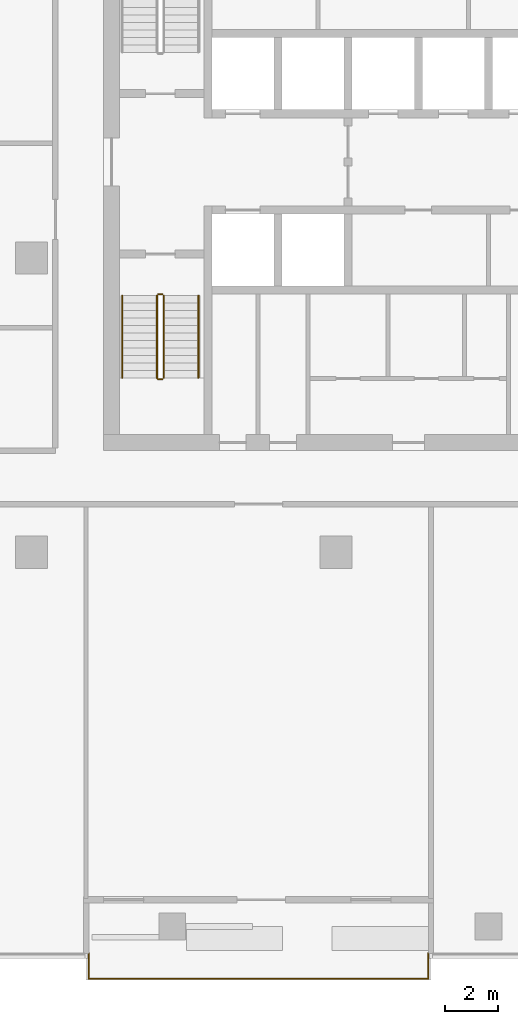
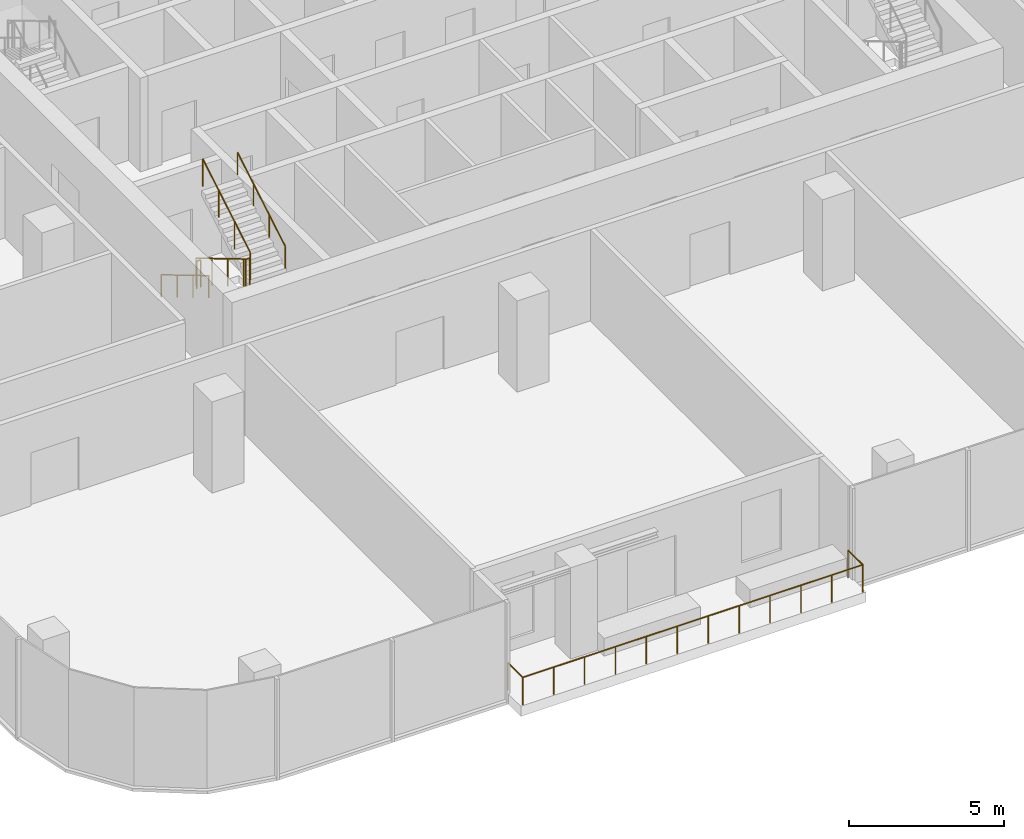
# One storey, part 11 of 13: 6 railings.
"""IFC4 building model written with IfcOpenShell, lengths in metres."""

import ifcopenshell
import ifcopenshell.guid

model = None  # the IFC model being written
_history = None  # IfcOwnerHistory: only IFC2X3 demands one
_inside = {}  # id of a spatial element -> (the spatial element, [elements in it])
_under = {}  # id of a project, library or spatial element -> (it, [spatial elements below it])
_declared = {}  # id of a project -> (the project, [libraries it declares])
_typed = {}  # id of a type object -> (the type object, [elements of that type])
_made_of = {}  # id of a material, layer set ... -> (it, [elements and type objects made of it])


def new_model(schema):
    """Start an empty IFC model of exactly this schema.

    Asked for "IFC4X3", IfcOpenShell would pick the latest addendum, in which some entities
    have other attributes; the version numbers below select the first issue.
    IFC2X3 requires an IfcOwnerHistory on every rooted entity: one is made here for all.
    """
    global model, _history
    if schema == "IFC4X3":
        model = ifcopenshell.file(schema_version=(4, 3, 0, 0))
    else:
        model = ifcopenshell.file(schema=schema)
    _inside.clear()
    _under.clear()
    _declared.clear()
    _typed.clear()
    _made_of.clear()
    _history = None
    if model.schema == "IFC2X3":
        org = make("IfcOrganization", Name="unknown")
        user = make(
            "IfcPersonAndOrganization",
            ThePerson=make("IfcPerson", FamilyName="unknown"),
            TheOrganization=org,
        )
        app = make(
            "IfcApplication",
            ApplicationDeveloper=org,
            Version="unknown",
            ApplicationFullName="unknown",
            ApplicationIdentifier="unknown",
        )
        _history = make(
            "IfcOwnerHistory",
            OwningUser=user,
            OwningApplication=app,
            ChangeAction="ADDED",
            CreationDate=0,
        )
    return model


def make(cls, **values):
    """One entity of the class cls with the attributes given. An attribute that is None is left unset."""
    return model.create_entity(
        cls, **{name: value for name, value in values.items() if value is not None}
    )


def rooted(cls, **values):
    """An entity with a GlobalId (a new one), such as an element, a storey or a relation."""
    return make(cls, GlobalId=ifcopenshell.guid.new(), OwnerHistory=_history, **values)


def si_unit(unit_type, name, prefix=None):
    """IfcSIUnit, for example si_unit("LENGTHUNIT", "METRE", prefix="MILLI")."""
    return make("IfcSIUnit", UnitType=unit_type, Prefix=prefix, Name=name)


def assignment(units):
    """IfcUnitAssignment: the units of a project."""
    return None if units is None else make("IfcUnitAssignment", Units=units)


def point(xyz):
    """IfcCartesianPoint."""
    return None if xyz is None else make("IfcCartesianPoint", Coordinates=xyz)


def direction(xyz):
    """IfcDirection."""
    return None if xyz is None else make("IfcDirection", DirectionRatios=xyz)


def frame(location, z_axis=None, x_axis=None):
    """IfcAxis2Placement3D, a coordinate frame: its origin and axes. An axis left out is left unset."""
    return make(
        "IfcAxis2Placement3D",
        Location=point(location),
        Axis=direction(z_axis),
        RefDirection=direction(x_axis),
    )


def frame_2d(location, x_axis=None):
    """IfcAxis2Placement2D, a coordinate frame in the plane: its origin and x axis."""
    return make(
        "IfcAxis2Placement2D", Location=point(location), RefDirection=direction(x_axis)
    )


def origin():
    """The frame at (0, 0, 0) with its axes left unset."""
    return frame((0.0, 0.0, 0.0))


def origin_2d():
    """The frame at (0, 0) in the plane with its x axis left unset."""
    return frame_2d((0.0, 0.0))


def place(relative_to, where):
    """IfcLocalPlacement: puts the frame where relative to a parent placement (None: the world)."""
    return make(
        "IfcLocalPlacement", PlacementRelTo=relative_to, RelativePlacement=where
    )


def context(
    kind, dimensions, precision=None, world=None, true_north=None, identifier=None
):
    """IfcGeometricRepresentationContext, for example the 3D "Model" context."""
    return make(
        "IfcGeometricRepresentationContext",
        ContextIdentifier=identifier,
        ContextType=kind,
        CoordinateSpaceDimension=dimensions,
        Precision=precision,
        WorldCoordinateSystem=world,
        TrueNorth=true_north,
    )


def subcontext(parent, identifier, kind, view, scale=None):
    """IfcGeometricRepresentationSubContext, for example "Body" below "Model"."""
    return make(
        "IfcGeometricRepresentationSubContext",
        ContextIdentifier=identifier,
        ContextType=kind,
        ParentContext=parent,
        TargetScale=scale,
        TargetView=view,
    )


def project(units=None, contexts=None):
    """IfcProject with its units and contexts."""
    return rooted(
        "IfcProject",
        Name="project",
        RepresentationContexts=contexts,
        UnitsInContext=assignment(units),
    )


def spatial(cls, under=None, at=None, **own):
    """A site, building, storey or space (cls), placed at a placement, below another one or the project."""
    s = rooted(cls, ObjectPlacement=at, **own)
    if under is not None:
        _under.setdefault(under.id(), (under, []))[1].append(s)
    return s


def profile(cls, at=None, kind="AREA", **sizes):
    """A parametric profile (cls). Its sizes go by their IFC names, for example OverallWidth=200.0."""
    return make(cls, ProfileType=kind, Position=at, **sizes)


def circle(**sizes):
    """IfcCircleProfileDef."""
    return profile("IfcCircleProfileDef", **sizes)


def extrude(swept, where, along, depth):
    """IfcExtrudedAreaSolid: the profile swept, set in the frame where, extruded along a direction by depth."""
    return make(
        "IfcExtrudedAreaSolid",
        SweptArea=swept,
        Position=where,
        ExtrudedDirection=direction(along),
        Depth=depth,
    )


def shape(context_of_items, identifier, shape_type, items):
    """IfcShapeRepresentation: the items that make up one representation, for example the "Body"."""
    return make(
        "IfcShapeRepresentation",
        ContextOfItems=context_of_items,
        RepresentationIdentifier=identifier,
        RepresentationType=shape_type,
        Items=items,
    )


def material(Name=None, Category=None):
    """IfcMaterial."""
    return make("IfcMaterial", Name=Name, Category=Category)


def made_of(thing, what):
    """Note that an element or type object is made of a material, layer set ...; save() writes the relation."""
    if what is not None:
        _made_of.setdefault(what.id(), (what, []))[1].append(thing)
    return thing


def type_object(cls, material=None, **own):
    """A type object (cls), such as IfcWallType, which elements share."""
    return made_of(rooted(cls, **own), material)


def element(
    cls,
    number,
    at=None,
    inside=None,
    cuts=None,
    type_object=None,
    material=None,
    context=None,
    identifier="Body",
    shape_type=None,
    held_by="IfcProductDefinitionShape",
    body=None,
    shapes=None,
    **own,
):
    """One element of the class cls, such as IfcWall. Its Tag is "e" and its number.

    at: its placement. inside: the storey or other place that contains it. cuts: it is an
    opening in that element (IfcRelVoidsElement). A single representation is given by context,
    identifier, shape_type and body (its items); several are given by shapes. held_by: the class
    of the entity that holds the representations. save() writes the other relations.
    """
    e = rooted(cls, Tag="e%d" % number, ObjectPlacement=at, **own)
    if body is not None:
        shapes = [shape(context, identifier, shape_type, body)]
    if shapes is not None:
        e.Representation = make(held_by, Representations=shapes)
    if inside is not None:
        _inside.setdefault(inside.id(), (inside, []))[1].append(e)
    if cuts is not None:
        rooted(
            "IfcRelVoidsElement", RelatingBuildingElement=cuts, RelatedOpeningElement=e
        )
    if type_object is not None:
        _typed.setdefault(type_object.id(), (type_object, []))[1].append(e)
    return made_of(e, material)


def aggregate(whole, parts):
    """IfcRelAggregates: a whole, such as a stair, and the parts it consists of."""
    return rooted("IfcRelAggregates", RelatingObject=whole, RelatedObjects=parts)


def save(model, path):
    """Write the relations noted so far, then the file.

    IfcRelAggregates (storeys below a building ...), IfcRelContainedInSpatialStructure (elements
    in a storey), IfcRelDefinesByType, IfcRelAssociatesMaterial and IfcRelDeclares: one each for
    every whole, place, type object, material and project.
    """
    for whole, parts in _under.values():
        aggregate(whole, parts)
    for where, things in _inside.values():
        rooted(
            "IfcRelContainedInSpatialStructure",
            RelatedElements=things,
            RelatingStructure=where,
        )
    for kind, things in _typed.values():
        rooted("IfcRelDefinesByType", RelatedObjects=things, RelatingType=kind)
    for what, things in _made_of.values():
        rooted("IfcRelAssociatesMaterial", RelatedObjects=things, RelatingMaterial=what)
    for by, libraries in _declared.values():
        rooted("IfcRelDeclares", RelatingContext=by, RelatedDefinitions=libraries)
    model.write(path)


model = new_model("IFC4")

# Units and contexts
model_context = context("Model", 3, precision=1e-05, world=origin(), true_north=direction((0.0, 1.0)))
body_context = subcontext(model_context, "Body", "Model", "MODEL_VIEW")
ifc_project = project(units=[si_unit("LENGTHUNIT", "METRE"), si_unit("AREAUNIT", "SQUARE_METRE"), si_unit("VOLUMEUNIT", "CUBIC_METRE"), si_unit("PLANEANGLEUNIT", "RADIAN"), si_unit("MASSUNIT", "GRAM", prefix="KILO")], contexts=[model_context])

# Site, building, storey
site_placement = place(None, origin())
site = spatial("IfcSite", under=ifc_project, at=site_placement, CompositionType="ELEMENT")
building_placement = place(site_placement, origin())
building = spatial("IfcBuilding", under=site, at=building_placement, Name="Mopane Tessera Tower", CompositionType="ELEMENT")
storey_placement = place(building_placement, frame((0.0, 0.0, 307.39990234375)))
storey = spatial("IfcBuildingStorey", under=building, at=storey_placement, Name="L67", CompositionType="ELEMENT", Elevation=307.39990234375)

# Railings
ifc_material_1 = material(Name="Powder-coated steel balustrade", Category="steel")
railing_type_1 = type_object("IfcRailingType", Name="Escape stair guard 1100 mm", PredefinedType="GUARDRAIL", material=ifc_material_1)
railing_1_placement = place(storey_placement, frame((-12.39990234375, -1.39990234375, 0.166748046875)))
element("IfcRailing", 1, at=railing_1_placement, inside=storey, type_object=railing_type_1, Name="L67 ST1 stair guard 1", PredefinedType="GUARDRAIL", context=body_context, shape_type="SweptSolid", body=[
    extrude(circle(Radius=0.02392578125, at=origin_2d()), frame((0.0, 0.0, 1.076171875), z_axis=(0.0, -0.859308565015, 0.511457515432), x_axis=(1.0, 0.0, 0.0)), (0.0, 0.0, 1.0), 3.58447265625),
    extrude(circle(Radius=0.02392578125, at=origin_2d()), frame((0.0, -3.080078125, 2.9091796875), z_axis=(0.705375805398, -0.708833529934, 0.0), x_axis=(0.708833529934, 0.705375805398, 0.0)), (0.0, 0.0, 1.0), 0.070556640625),
    extrude(circle(Radius=0.02392578125, at=origin_2d()), frame((0.0498046875, -3.130126953125, 2.9091796875), z_axis=(1.0, 0.0, 0.0), x_axis=(0.0, 1.0, 0.0)), (0.0, 0.0, 1.0), 0.150146484375),
    extrude(circle(Radius=0.02099609375, at=origin_2d()), origin(), (0.0, 0.0, 1.0), 1.052001953125),
    extrude(circle(Radius=0.02099609375, at=origin_2d()), frame((0.0, -1.026611328125, 0.611083984375)), (0.0, 0.0, 1.0), 1.052001953125),
    extrude(circle(Radius=0.02099609375, at=origin_2d()), frame((0.0, -2.053466796875, 1.22216796875)), (0.0, 0.0, 1.0), 1.052001953125),
    extrude(circle(Radius=0.02099609375, at=origin_2d()), frame((0.0, -3.080078125, 1.833251953125)), (0.0, 0.0, 1.0), 1.052001953125),
    extrude(circle(Radius=0.02099609375, at=origin_2d()), frame((0.0498046875, -3.130126953125, 1.833251953125)), (0.0, 0.0, 1.0), 1.052001953125),
    extrude(circle(Radius=0.02099609375, at=origin_2d()), frame((0.199951171875, -3.130126953125, 1.833251953125)), (0.0, 0.0, 1.0), 1.052001953125),
])
railing_2_placement = place(storey_placement, frame((-12.14990234375, -4.47998046875, 2.166748046875)))
element("IfcRailing", 2, at=railing_2_placement, inside=storey, type_object=railing_type_1, Name="L67 ST1 stair guard 2", PredefinedType="GUARDRAIL", context=body_context, shape_type="SweptSolid", body=[
    extrude(circle(Radius=0.02392578125, at=origin_2d()), frame((0.0, 0.0, 1.076171875), z_axis=(0.0, 0.859308565015, 0.511457515432), x_axis=(-1.0, 0.0, 0.0)), (0.0, 0.0, 1.0), 3.58447265625),
    extrude(circle(Radius=0.02099609375, at=origin_2d()), origin(), (0.0, 0.0, 1.0), 1.052001953125),
    extrude(circle(Radius=0.02099609375, at=origin_2d()), frame((0.0, 1.026611328125, 0.611083984375)), (0.0, 0.0, 1.0), 1.052001953125),
    extrude(circle(Radius=0.02099609375, at=origin_2d()), frame((0.0, 2.053466796875, 1.22216796875)), (0.0, 0.0, 1.0), 1.052001953125),
    extrude(circle(Radius=0.02099609375, at=origin_2d()), frame((0.0, 3.080078125, 1.833251953125)), (0.0, 0.0, 1.0), 1.052001953125),
])
railing_3_placement = place(storey_placement, frame((-12.35009765625, -1.35009765625, 0.0)))
element("IfcRailing", 3, at=railing_3_placement, inside=storey, type_object=railing_type_1, Name="L67 ST1 stair guard 3", PredefinedType="GUARDRAIL", context=body_context, shape_type="SweptSolid", body=[
    extrude(circle(Radius=0.02392578125, at=origin_2d()), frame((0.0, 0.0, 1.076171875), z_axis=(1.0, 0.0, 0.0), x_axis=(0.0, 1.0, 0.0)), (0.0, 0.0, 1.0), 0.150146484375),
    extrude(circle(Radius=0.02099609375, at=origin_2d()), origin(), (0.0, 0.0, 1.0), 1.052001953125),
    extrude(circle(Radius=0.02099609375, at=origin_2d()), frame((0.150146484375, 0.0, 0.0)), (0.0, 0.0, 1.0), 1.052001953125),
])
ifc_material_2 = material(Name="Powder-coated steel balustrade", Category="steel")
railing_type_2 = type_object("IfcRailingType", Name="Escape stair handrail 900 mm", PredefinedType="HANDRAIL", material=ifc_material_2)
railing_4_placement = place(storey_placement, frame((-13.699951171875, -1.39990234375, 0.166748046875)))
element("IfcRailing", 4, at=railing_4_placement, inside=storey, type_object=railing_type_2, Name="L67 ST1 stair handrail 1", PredefinedType="HANDRAIL", context=body_context, shape_type="SweptSolid", body=[
    extrude(circle(Radius=0.02392578125, at=origin_2d()), frame((0.0, 0.0, 0.8759765625), z_axis=(0.0, -0.859308565015, 0.511457515432), x_axis=(1.0, 0.0, 0.0)), (0.0, 0.0, 1.0), 3.58447265625),
    extrude(circle(Radius=0.02099609375, at=origin_2d()), origin(), (0.0, 0.0, 1.0), 0.851806640625),
    extrude(circle(Radius=0.02099609375, at=origin_2d()), frame((0.0, -1.026611328125, 0.611083984375)), (0.0, 0.0, 1.0), 0.851806640625),
    extrude(circle(Radius=0.02099609375, at=origin_2d()), frame((0.0, -2.053466796875, 1.22216796875)), (0.0, 0.0, 1.0), 0.851806640625),
    extrude(circle(Radius=0.02099609375, at=origin_2d()), frame((0.0, -3.080078125, 1.833251953125)), (0.0, 0.0, 1.0), 0.851806640625),
])
railing_5_placement = place(storey_placement, frame((-10.85009765625, -4.47998046875, 2.166748046875)))
element("IfcRailing", 5, at=railing_5_placement, inside=storey, type_object=railing_type_2, Name="L67 ST1 stair handrail 2", PredefinedType="HANDRAIL", context=body_context, shape_type="SweptSolid", body=[
    extrude(circle(Radius=0.02392578125, at=origin_2d()), frame((0.0, 0.0, 0.8759765625), z_axis=(0.0, 0.859308565015, 0.511457515432), x_axis=(-1.0, 0.0, 0.0)), (0.0, 0.0, 1.0), 3.58447265625),
    extrude(circle(Radius=0.02099609375, at=origin_2d()), origin(), (0.0, 0.0, 1.0), 0.851806640625),
    extrude(circle(Radius=0.02099609375, at=origin_2d()), frame((0.0, 1.026611328125, 0.611083984375)), (0.0, 0.0, 1.0), 0.851806640625),
    extrude(circle(Radius=0.02099609375, at=origin_2d()), frame((0.0, 2.053466796875, 1.22216796875)), (0.0, 0.0, 1.0), 0.851806640625),
    extrude(circle(Radius=0.02099609375, at=origin_2d()), frame((0.0, 3.080078125, 1.833251953125)), (0.0, 0.0, 1.0), 0.851806640625),
])
ifc_material_3 = material(Name="Stainless steel S316", Category="steel")
railing_type_3 = type_object("IfcRailingType", Name="Terrace guard 1100", PredefinedType="GUARDRAIL", material=ifc_material_3)
railing_6_placement = place(storey_placement, frame((-14.949951171875, -26.0, 0.0)))
element("IfcRailing", 6, at=railing_6_placement, inside=storey, type_object=railing_type_3, Name="e:nw:L67:N3:guard", PredefinedType="GUARDRAIL", context=body_context, shape_type="SweptSolid", body=[
    extrude(circle(Radius=0.02392578125, at=origin_2d()), frame((0.0, 0.0, 1.076171875), z_axis=(0.0, -1.0, 0.0), x_axis=(1.0, 0.0, 0.0)), (0.0, 0.0, 1.0), 0.949951171875),
    extrude(circle(Radius=0.02392578125, at=origin_2d()), frame((0.0, -0.949951171875, 1.076171875), z_axis=(1.0, 0.0, 0.0), x_axis=(0.0, 1.0, 0.0)), (0.0, 0.0, 1.0), 12.699951171875),
    extrude(circle(Radius=0.02392578125, at=origin_2d()), frame((12.699951171875, -0.949951171875, 1.076171875), z_axis=(0.0, 1.0, 0.0), x_axis=(-1.0, 0.0, 0.0)), (0.0, 0.0, 1.0), 0.949951171875),
    extrude(circle(Radius=0.02099609375, at=origin_2d()), origin(), (0.0, 0.0, 1.0), 1.052001953125),
    extrude(circle(Radius=0.02099609375, at=origin_2d()), frame((0.0, -0.949951171875, 0.0)), (0.0, 0.0, 1.0), 1.052001953125),
    extrude(circle(Radius=0.02099609375, at=origin_2d()), frame((1.154541015625, -0.949951171875, 0.0)), (0.0, 0.0, 1.0), 1.052001953125),
    extrude(circle(Radius=0.02099609375, at=origin_2d()), frame((2.30908203125, -0.949951171875, 0.0)), (0.0, 0.0, 1.0), 1.052001953125),
    extrude(circle(Radius=0.02099609375, at=origin_2d()), frame((3.463623046875, -0.949951171875, 0.0)), (0.0, 0.0, 1.0), 1.052001953125),
    extrude(circle(Radius=0.02099609375, at=origin_2d()), frame((4.6181640625, -0.949951171875, 0.0)), (0.0, 0.0, 1.0), 1.052001953125),
    extrude(circle(Radius=0.02099609375, at=origin_2d()), frame((5.772705078125, -0.949951171875, 0.0)), (0.0, 0.0, 1.0), 1.052001953125),
    extrude(circle(Radius=0.02099609375, at=origin_2d()), frame((6.92724609375, -0.949951171875, 0.0)), (0.0, 0.0, 1.0), 1.052001953125),
    extrude(circle(Radius=0.02099609375, at=origin_2d()), frame((8.081787109375, -0.949951171875, 0.0)), (0.0, 0.0, 1.0), 1.052001953125),
    extrude(circle(Radius=0.02099609375, at=origin_2d()), frame((9.236328125, -0.949951171875, 0.0)), (0.0, 0.0, 1.0), 1.052001953125),
    extrude(circle(Radius=0.02099609375, at=origin_2d()), frame((10.390869140625, -0.949951171875, 0.0)), (0.0, 0.0, 1.0), 1.052001953125),
    extrude(circle(Radius=0.02099609375, at=origin_2d()), frame((11.54541015625, -0.949951171875, 0.0)), (0.0, 0.0, 1.0), 1.052001953125),
    extrude(circle(Radius=0.02099609375, at=origin_2d()), frame((12.699951171875, -0.949951171875, 0.0)), (0.0, 0.0, 1.0), 1.052001953125),
    extrude(circle(Radius=0.02099609375, at=origin_2d()), frame((12.699951171875, 0.0, 0.0)), (0.0, 0.0, 1.0), 1.052001953125),
])

save(model, "model.ifc")
